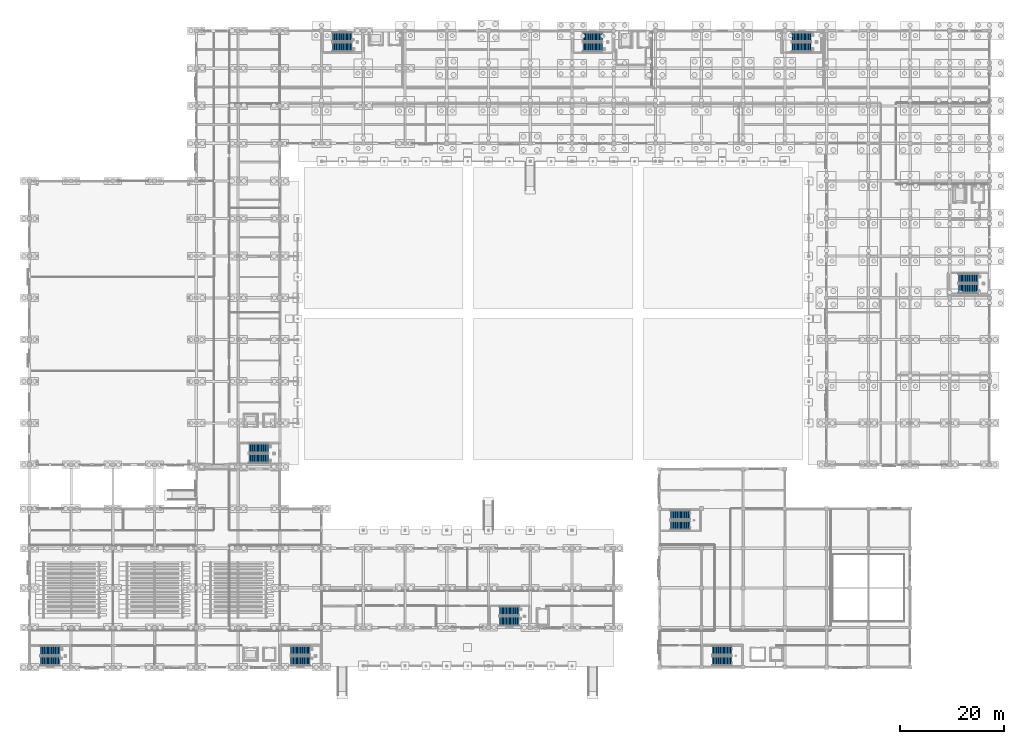
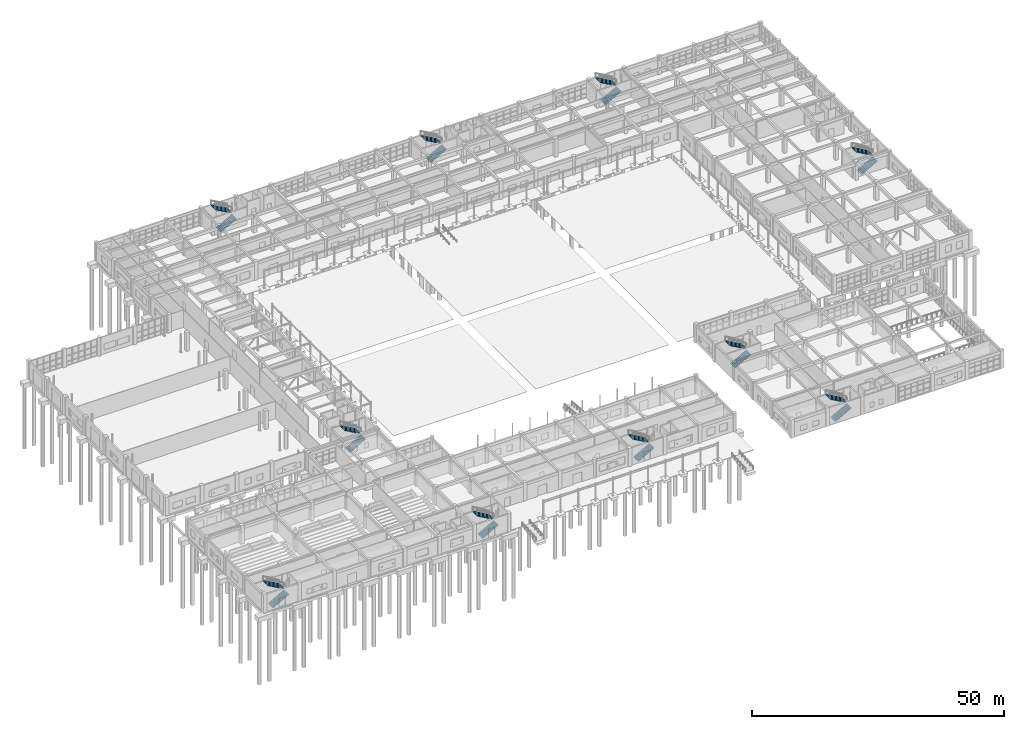
# One storey, part 142 of 166: 20 stair flights, 10 elements without a shape of their own.
"""IFC4 building model written with IfcOpenShell, lengths in metres."""

from ifc_helpers import new_model, si_unit, direction, frame, origin, place, context, subcontext, project, spatial, polyline, outline, extrude, material, type_object, element, aggregate, save


model = new_model("IFC4")

# Units and contexts
model_context = context("Model", 3, precision=1e-05, world=origin(), true_north=direction((0.0, 1.0)))
body_context = subcontext(model_context, "Body", "Model", "MODEL_VIEW")
ifc_project = project(units=[si_unit("LENGTHUNIT", "METRE"), si_unit("AREAUNIT", "SQUARE_METRE"), si_unit("VOLUMEUNIT", "CUBIC_METRE"), si_unit("PLANEANGLEUNIT", "RADIAN"), si_unit("MASSUNIT", "GRAM", prefix="KILO")], contexts=[model_context])

# Site, building, storey
site_placement = place(None, origin())
site = spatial("IfcSite", under=ifc_project, at=site_placement, CompositionType="ELEMENT")
building_placement = place(site_placement, origin())
building = spatial("IfcBuilding", under=site, at=building_placement, Name="Kharva Crest Polytechnic", CompositionType="ELEMENT")
storey_placement = place(building_placement, origin())
storey = spatial("IfcBuildingStorey", under=building, at=storey_placement, Name="L00", CompositionType="ELEMENT", Elevation=0.0)

# Stair, stair flights
ifc_material = material(Name="Concrete C35/45", Category="concrete")
stair_type_1 = type_object("IfcStairType", Name="STR-DOGLEG-1780", PredefinedType="TWO_STRAIGHT_RUN_STAIR", material=ifc_material)
stair_1_placement = place(storey_placement, origin())
stair_1 = element("IfcStair", 1, at=stair_1_placement, inside=storey, type_object=stair_type_1, Name="L00 South-West Lecture Core C1", PredefinedType="TWO_STRAIGHT_RUN_STAIR")
stair_flight_type_1 = type_object("IfcStairFlightType", Name="STF-RC-1780", PredefinedType="STRAIGHT", material=ifc_material)
stair_flight_1_placement = place(storey_placement, frame((50.090087890625, 1.18994140625, 0.0), z_axis=(0.0, 0.0, 1.0), x_axis=(1.0, 0.0, 0.0)))
stair_flight_1 = element("IfcStairFlight", 2, at=stair_flight_1_placement, type_object=stair_flight_type_1, Name="ST-01 flight 1", NumberOfRisers=15, NumberOfTreads=14, PredefinedType="STRAIGHT", RiserHeight=0.15, TreadLength=0.265, context=body_context, shape_type="SweptSolid", body=[
    extrude(outline(polyline([(0.0, 0.0), (0.0, 0.14990234375), (0.264892578125, 0.14990234375), (0.264892578125, 0.300048828125), (0.530029296875, 0.300048828125), (0.530029296875, 0.449951171875), (0.794921875, 0.449951171875), (0.794921875, 0.60009765625), (1.06005859375, 0.60009765625), (1.06005859375, 0.75), (1.324951171875, 0.75), (1.324951171875, 0.89990234375), (1.590087890625, 0.89990234375), (1.590087890625, 1.050048828125), (1.85498046875, 1.050048828125), (1.85498046875, 1.199951171875), (2.1201171875, 1.199951171875), (2.1201171875, 1.35009765625), (2.385009765625, 1.35009765625), (2.385009765625, 1.5), (2.64990234375, 1.5), (2.64990234375, 1.64990234375), (2.9150390625, 1.64990234375), (2.9150390625, 1.800048828125), (3.179931640625, 1.800048828125), (3.179931640625, 1.949951171875), (3.445068359375, 1.949951171875), (3.445068359375, 2.10009765625), (3.7099609375, 2.10009765625), (3.7099609375, 2.25), (3.7099609375, 1.916259765625), (0.32470703125, 0.0), (0.0, 0.0)])), frame((0.0, 0.89013671875, 0.0), z_axis=(0.0, -1.0, 0.0), x_axis=(1.0, 0.0, 0.0)), (0.0, 0.0, 1.0), 1.780029296875),
])
stair_flight_2_placement = place(storey_placement, frame((53.800048828125, 3.169921875, 2.25), z_axis=(0.0, 0.0, 1.0), x_axis=(-1.0, 0.0, 0.0)))
stair_flight_2 = element("IfcStairFlight", 3, at=stair_flight_2_placement, type_object=stair_flight_type_1, Name="ST-01 flight 2", NumberOfRisers=15, NumberOfTreads=14, PredefinedType="STRAIGHT", RiserHeight=0.15, TreadLength=0.265, context=body_context, shape_type="SweptSolid", body=[
    extrude(outline(polyline([(0.0, 0.0), (0.0, 0.14990234375), (0.264892578125, 0.14990234375), (0.264892578125, 0.300048828125), (0.530029296875, 0.300048828125), (0.530029296875, 0.449951171875), (0.794921875, 0.449951171875), (0.794921875, 0.60009765625), (1.06005859375, 0.60009765625), (1.06005859375, 0.75), (1.324951171875, 0.75), (1.324951171875, 0.89990234375), (1.590087890625, 0.89990234375), (1.590087890625, 1.050048828125), (1.85498046875, 1.050048828125), (1.85498046875, 1.199951171875), (2.1201171875, 1.199951171875), (2.1201171875, 1.35009765625), (2.385009765625, 1.35009765625), (2.385009765625, 1.5), (2.64990234375, 1.5), (2.64990234375, 1.64990234375), (2.9150390625, 1.64990234375), (2.9150390625, 1.800048828125), (3.179931640625, 1.800048828125), (3.179931640625, 1.949951171875), (3.445068359375, 1.949951171875), (3.445068359375, 2.10009765625), (3.7099609375, 2.10009765625), (3.7099609375, 2.25), (3.7099609375, 1.916259765625), (0.32470703125, 0.0), (0.0, 0.0)])), frame((0.0, 0.89013671875, 0.0), z_axis=(0.0, -1.0, 0.0), x_axis=(1.0, 0.0, 0.0)), (0.0, 0.0, 1.0), 1.780029296875),
])
aggregate(stair_1, [stair_flight_1, stair_flight_2])

stair_2_placement = place(storey_placement, origin())
stair_2 = element("IfcStair", 4, at=stair_2_placement, inside=storey, type_object=stair_type_1, Name="L00 West Workshop Core C2", PredefinedType="TWO_STRAIGHT_RUN_STAIR")
stair_flight_3_placement = place(storey_placement, frame((42.090087890625, 39.989990234375, 0.0), z_axis=(0.0, 0.0, 1.0), x_axis=(1.0, 0.0, 0.0)))
stair_flight_3 = element("IfcStairFlight", 5, at=stair_flight_3_placement, type_object=stair_flight_type_1, Name="ST-02 flight 1", NumberOfRisers=15, NumberOfTreads=14, PredefinedType="STRAIGHT", RiserHeight=0.15, TreadLength=0.265, context=body_context, shape_type="SweptSolid", body=[
    extrude(outline(polyline([(0.0, 0.0), (0.0, 0.14990234375), (0.264892578125, 0.14990234375), (0.264892578125, 0.300048828125), (0.530029296875, 0.300048828125), (0.530029296875, 0.449951171875), (0.794921875, 0.449951171875), (0.794921875, 0.60009765625), (1.06005859375, 0.60009765625), (1.06005859375, 0.75), (1.324951171875, 0.75), (1.324951171875, 0.89990234375), (1.590087890625, 0.89990234375), (1.590087890625, 1.050048828125), (1.85498046875, 1.050048828125), (1.85498046875, 1.199951171875), (2.1201171875, 1.199951171875), (2.1201171875, 1.35009765625), (2.385009765625, 1.35009765625), (2.385009765625, 1.5), (2.64990234375, 1.5), (2.64990234375, 1.64990234375), (2.9150390625, 1.64990234375), (2.9150390625, 1.800048828125), (3.179931640625, 1.800048828125), (3.179931640625, 1.949951171875), (3.445068359375, 1.949951171875), (3.445068359375, 2.10009765625), (3.7099609375, 2.10009765625), (3.7099609375, 2.25), (3.7099609375, 1.916259765625), (0.32470703125, 0.0), (0.0, 0.0)])), frame((0.0, 0.89013671875, 0.0), z_axis=(0.0, -1.0, 0.0), x_axis=(1.0, 0.0, 0.0)), (0.0, 0.0, 1.0), 1.780029296875),
])
stair_flight_4_placement = place(storey_placement, frame((45.800048828125, 41.969970703125, 2.25), z_axis=(0.0, 0.0, 1.0), x_axis=(-1.0, 0.0, 0.0)))
stair_flight_4 = element("IfcStairFlight", 6, at=stair_flight_4_placement, type_object=stair_flight_type_1, Name="ST-02 flight 2", NumberOfRisers=15, NumberOfTreads=14, PredefinedType="STRAIGHT", RiserHeight=0.15, TreadLength=0.265, context=body_context, shape_type="SweptSolid", body=[
    extrude(outline(polyline([(0.0, 0.0), (0.0, 0.14990234375), (0.264892578125, 0.14990234375), (0.264892578125, 0.300048828125), (0.530029296875, 0.300048828125), (0.530029296875, 0.449951171875), (0.794921875, 0.449951171875), (0.794921875, 0.60009765625), (1.06005859375, 0.60009765625), (1.06005859375, 0.75), (1.324951171875, 0.75), (1.324951171875, 0.89990234375), (1.590087890625, 0.89990234375), (1.590087890625, 1.050048828125), (1.85498046875, 1.050048828125), (1.85498046875, 1.199951171875), (2.1201171875, 1.199951171875), (2.1201171875, 1.35009765625), (2.385009765625, 1.35009765625), (2.385009765625, 1.5), (2.64990234375, 1.5), (2.64990234375, 1.64990234375), (2.9150390625, 1.64990234375), (2.9150390625, 1.800048828125), (3.179931640625, 1.800048828125), (3.179931640625, 1.949951171875), (3.445068359375, 1.949951171875), (3.445068359375, 2.10009765625), (3.7099609375, 2.10009765625), (3.7099609375, 2.25), (3.7099609375, 1.916259765625), (0.32470703125, 0.0), (0.0, 0.0)])), frame((0.0, 0.89013671875, 0.0), z_axis=(0.0, -1.0, 0.0), x_axis=(1.0, 0.0, 0.0)), (0.0, 0.0, 1.0), 1.780029296875),
])
aggregate(stair_2, [stair_flight_3, stair_flight_4])

stair_3_placement = place(storey_placement, origin())
stair_3 = element("IfcStair", 7, at=stair_3_placement, inside=storey, type_object=stair_type_1, Name="L00 North-West Lab Core C3", PredefinedType="TWO_STRAIGHT_RUN_STAIR")
stair_flight_5_placement = place(storey_placement, frame((58.090087890625, 118.830078125, 0.0), z_axis=(0.0, 0.0, 1.0), x_axis=(1.0, 0.0, 0.0)))
stair_flight_5 = element("IfcStairFlight", 8, at=stair_flight_5_placement, type_object=stair_flight_type_1, Name="ST-03 flight 1", NumberOfRisers=15, NumberOfTreads=14, PredefinedType="STRAIGHT", RiserHeight=0.15, TreadLength=0.265, context=body_context, shape_type="SweptSolid", body=[
    extrude(outline(polyline([(0.0, 0.0), (0.0, 0.14990234375), (0.264892578125, 0.14990234375), (0.264892578125, 0.300048828125), (0.530029296875, 0.300048828125), (0.530029296875, 0.449951171875), (0.794921875, 0.449951171875), (0.794921875, 0.60009765625), (1.06005859375, 0.60009765625), (1.06005859375, 0.75), (1.324951171875, 0.75), (1.324951171875, 0.89990234375), (1.590087890625, 0.89990234375), (1.590087890625, 1.050048828125), (1.85498046875, 1.050048828125), (1.85498046875, 1.199951171875), (2.1201171875, 1.199951171875), (2.1201171875, 1.35009765625), (2.385009765625, 1.35009765625), (2.385009765625, 1.5), (2.64990234375, 1.5), (2.64990234375, 1.64990234375), (2.9150390625, 1.64990234375), (2.9150390625, 1.800048828125), (3.179931640625, 1.800048828125), (3.179931640625, 1.949951171875), (3.445068359375, 1.949951171875), (3.445068359375, 2.10009765625), (3.7099609375, 2.10009765625), (3.7099609375, 2.25), (3.7099609375, 1.916259765625), (0.32470703125, 0.0), (0.0, 0.0)])), frame((0.0, 0.89013671875, 0.0), z_axis=(0.0, -1.0, 0.0), x_axis=(1.0, 0.0, 0.0)), (0.0, 0.0, 1.0), 1.780029296875),
])
stair_flight_6_placement = place(storey_placement, frame((61.800048828125, 120.81005859375, 2.25), z_axis=(0.0, 0.0, 1.0), x_axis=(-1.0, 0.0, 0.0)))
stair_flight_6 = element("IfcStairFlight", 9, at=stair_flight_6_placement, type_object=stair_flight_type_1, Name="ST-03 flight 2", NumberOfRisers=15, NumberOfTreads=14, PredefinedType="STRAIGHT", RiserHeight=0.15, TreadLength=0.265, context=body_context, shape_type="SweptSolid", body=[
    extrude(outline(polyline([(0.0, 0.0), (0.0, 0.14990234375), (0.264892578125, 0.14990234375), (0.264892578125, 0.300048828125), (0.530029296875, 0.300048828125), (0.530029296875, 0.449951171875), (0.794921875, 0.449951171875), (0.794921875, 0.60009765625), (1.06005859375, 0.60009765625), (1.06005859375, 0.75), (1.324951171875, 0.75), (1.324951171875, 0.89990234375), (1.590087890625, 0.89990234375), (1.590087890625, 1.050048828125), (1.85498046875, 1.050048828125), (1.85498046875, 1.199951171875), (2.1201171875, 1.199951171875), (2.1201171875, 1.35009765625), (2.385009765625, 1.35009765625), (2.385009765625, 1.5), (2.64990234375, 1.5), (2.64990234375, 1.64990234375), (2.9150390625, 1.64990234375), (2.9150390625, 1.800048828125), (3.179931640625, 1.800048828125), (3.179931640625, 1.949951171875), (3.445068359375, 1.949951171875), (3.445068359375, 2.10009765625), (3.7099609375, 2.10009765625), (3.7099609375, 2.25), (3.7099609375, 1.916259765625), (0.32470703125, 0.0), (0.0, 0.0)])), frame((0.0, 0.89013671875, 0.0), z_axis=(0.0, -1.0, 0.0), x_axis=(1.0, 0.0, 0.0)), (0.0, 0.0, 1.0), 1.780029296875),
])
aggregate(stair_3, [stair_flight_5, stair_flight_6])

stair_4_placement = place(storey_placement, origin())
stair_4 = element("IfcStair", 10, at=stair_4_placement, inside=storey, type_object=stair_type_1, Name="L00 North Crest Firefighting Core C4", PredefinedType="TWO_STRAIGHT_RUN_STAIR")
stair_flight_7_placement = place(storey_placement, frame((106.090087890625, 118.830078125, 0.0), z_axis=(0.0, 0.0, 1.0), x_axis=(1.0, 0.0, 0.0)))
stair_flight_7 = element("IfcStairFlight", 11, at=stair_flight_7_placement, type_object=stair_flight_type_1, Name="ST-04 flight 1", NumberOfRisers=15, NumberOfTreads=14, PredefinedType="STRAIGHT", RiserHeight=0.15, TreadLength=0.265, context=body_context, shape_type="SweptSolid", body=[
    extrude(outline(polyline([(0.0, 0.0), (0.0, 0.14990234375), (0.264892578125, 0.14990234375), (0.264892578125, 0.300048828125), (0.530029296875, 0.300048828125), (0.530029296875, 0.449951171875), (0.794921875, 0.449951171875), (0.794921875, 0.60009765625), (1.06005859375, 0.60009765625), (1.06005859375, 0.75), (1.324951171875, 0.75), (1.324951171875, 0.89990234375), (1.590087890625, 0.89990234375), (1.590087890625, 1.050048828125), (1.85498046875, 1.050048828125), (1.85498046875, 1.199951171875), (2.1201171875, 1.199951171875), (2.1201171875, 1.35009765625), (2.385009765625, 1.35009765625), (2.385009765625, 1.5), (2.64990234375, 1.5), (2.64990234375, 1.64990234375), (2.9150390625, 1.64990234375), (2.9150390625, 1.800048828125), (3.179931640625, 1.800048828125), (3.179931640625, 1.949951171875), (3.445068359375, 1.949951171875), (3.445068359375, 2.10009765625), (3.7099609375, 2.10009765625), (3.7099609375, 2.25), (3.7099609375, 1.916259765625), (0.32470703125, 0.0), (0.0, 0.0)])), frame((0.0, 0.89013671875, 0.0), z_axis=(0.0, -1.0, 0.0), x_axis=(1.0, 0.0, 0.0)), (0.0, 0.0, 1.0), 1.780029296875),
])
stair_flight_8_placement = place(storey_placement, frame((109.800048828125, 120.81005859375, 2.25), z_axis=(0.0, 0.0, 1.0), x_axis=(-1.0, 0.0, 0.0)))
stair_flight_8 = element("IfcStairFlight", 12, at=stair_flight_8_placement, type_object=stair_flight_type_1, Name="ST-04 flight 2", NumberOfRisers=15, NumberOfTreads=14, PredefinedType="STRAIGHT", RiserHeight=0.15, TreadLength=0.265, context=body_context, shape_type="SweptSolid", body=[
    extrude(outline(polyline([(0.0, 0.0), (0.0, 0.14990234375), (0.264892578125, 0.14990234375), (0.264892578125, 0.300048828125), (0.530029296875, 0.300048828125), (0.530029296875, 0.449951171875), (0.794921875, 0.449951171875), (0.794921875, 0.60009765625), (1.06005859375, 0.60009765625), (1.06005859375, 0.75), (1.324951171875, 0.75), (1.324951171875, 0.89990234375), (1.590087890625, 0.89990234375), (1.590087890625, 1.050048828125), (1.85498046875, 1.050048828125), (1.85498046875, 1.199951171875), (2.1201171875, 1.199951171875), (2.1201171875, 1.35009765625), (2.385009765625, 1.35009765625), (2.385009765625, 1.5), (2.64990234375, 1.5), (2.64990234375, 1.64990234375), (2.9150390625, 1.64990234375), (2.9150390625, 1.800048828125), (3.179931640625, 1.800048828125), (3.179931640625, 1.949951171875), (3.445068359375, 1.949951171875), (3.445068359375, 2.10009765625), (3.7099609375, 2.10009765625), (3.7099609375, 2.25), (3.7099609375, 1.916259765625), (0.32470703125, 0.0), (0.0, 0.0)])), frame((0.0, 0.89013671875, 0.0), z_axis=(0.0, -1.0, 0.0), x_axis=(1.0, 0.0, 0.0)), (0.0, 0.0, 1.0), 1.780029296875),
])
aggregate(stair_4, [stair_flight_7, stair_flight_8])

stair_5_placement = place(storey_placement, origin())
stair_5 = element("IfcStair", 13, at=stair_5_placement, inside=storey, type_object=stair_type_1, Name="L00 East Crest Firefighting Core C5", PredefinedType="TWO_STRAIGHT_RUN_STAIR")
stair_flight_9_placement = place(storey_placement, frame((178.090087890625, 72.56005859375, 0.0), z_axis=(0.0, 0.0, 1.0), x_axis=(1.0, 0.0, 0.0)))
stair_flight_9 = element("IfcStairFlight", 14, at=stair_flight_9_placement, type_object=stair_flight_type_1, Name="ST-05 flight 1", NumberOfRisers=15, NumberOfTreads=14, PredefinedType="STRAIGHT", RiserHeight=0.15, TreadLength=0.265, context=body_context, shape_type="SweptSolid", body=[
    extrude(outline(polyline([(0.0, 0.0), (0.0, 0.14990234375), (0.264892578125, 0.14990234375), (0.264892578125, 0.300048828125), (0.530029296875, 0.300048828125), (0.530029296875, 0.449951171875), (0.794921875, 0.449951171875), (0.794921875, 0.60009765625), (1.06005859375, 0.60009765625), (1.06005859375, 0.75), (1.324951171875, 0.75), (1.324951171875, 0.89990234375), (1.590087890625, 0.89990234375), (1.590087890625, 1.050048828125), (1.85498046875, 1.050048828125), (1.85498046875, 1.199951171875), (2.1201171875, 1.199951171875), (2.1201171875, 1.35009765625), (2.385009765625, 1.35009765625), (2.385009765625, 1.5), (2.64990234375, 1.5), (2.64990234375, 1.64990234375), (2.9150390625, 1.64990234375), (2.9150390625, 1.800048828125), (3.179931640625, 1.800048828125), (3.179931640625, 1.949951171875), (3.445068359375, 1.949951171875), (3.445068359375, 2.10009765625), (3.7099609375, 2.10009765625), (3.7099609375, 2.25), (3.7099609375, 1.916259765625), (0.32470703125, 0.0), (0.0, 0.0)])), frame((0.0, 0.89013671875, 0.0), z_axis=(0.0, -1.0, 0.0), x_axis=(1.0, 0.0, 0.0)), (0.0, 0.0, 1.0), 1.780029296875),
])
stair_flight_10_placement = place(storey_placement, frame((181.800048828125, 74.5400390625, 2.25), z_axis=(0.0, 0.0, 1.0), x_axis=(-1.0, 0.0, 0.0)))
stair_flight_10 = element("IfcStairFlight", 15, at=stair_flight_10_placement, type_object=stair_flight_type_1, Name="ST-05 flight 2", NumberOfRisers=15, NumberOfTreads=14, PredefinedType="STRAIGHT", RiserHeight=0.15, TreadLength=0.265, context=body_context, shape_type="SweptSolid", body=[
    extrude(outline(polyline([(0.0, 0.0), (0.0, 0.14990234375), (0.264892578125, 0.14990234375), (0.264892578125, 0.300048828125), (0.530029296875, 0.300048828125), (0.530029296875, 0.449951171875), (0.794921875, 0.449951171875), (0.794921875, 0.60009765625), (1.06005859375, 0.60009765625), (1.06005859375, 0.75), (1.324951171875, 0.75), (1.324951171875, 0.89990234375), (1.590087890625, 0.89990234375), (1.590087890625, 1.050048828125), (1.85498046875, 1.050048828125), (1.85498046875, 1.199951171875), (2.1201171875, 1.199951171875), (2.1201171875, 1.35009765625), (2.385009765625, 1.35009765625), (2.385009765625, 1.5), (2.64990234375, 1.5), (2.64990234375, 1.64990234375), (2.9150390625, 1.64990234375), (2.9150390625, 1.800048828125), (3.179931640625, 1.800048828125), (3.179931640625, 1.949951171875), (3.445068359375, 1.949951171875), (3.445068359375, 2.10009765625), (3.7099609375, 2.10009765625), (3.7099609375, 2.25), (3.7099609375, 1.916259765625), (0.32470703125, 0.0), (0.0, 0.0)])), frame((0.0, 0.89013671875, 0.0), z_axis=(0.0, -1.0, 0.0), x_axis=(1.0, 0.0, 0.0)), (0.0, 0.0, 1.0), 1.780029296875),
])
aggregate(stair_5, [stair_flight_9, stair_flight_10])

stair_6_placement = place(storey_placement, origin())
stair_6 = element("IfcStair", 16, at=stair_6_placement, inside=storey, type_object=stair_type_1, Name="L00 South-East Refectory Escarpment Core C6", PredefinedType="TWO_STRAIGHT_RUN_STAIR")
stair_flight_11_placement = place(storey_placement, frame((130.889892578125, 1.18994140625, 0.0), z_axis=(0.0, 0.0, 1.0), x_axis=(1.0, 0.0, 0.0)))
stair_flight_11 = element("IfcStairFlight", 17, at=stair_flight_11_placement, type_object=stair_flight_type_1, Name="ST-06 flight 1", NumberOfRisers=15, NumberOfTreads=14, PredefinedType="STRAIGHT", RiserHeight=0.15, TreadLength=0.265, context=body_context, shape_type="SweptSolid", body=[
    extrude(outline(polyline([(0.0, 0.0), (0.0, 0.14990234375), (0.264892578125, 0.14990234375), (0.264892578125, 0.300048828125), (0.530029296875, 0.300048828125), (0.530029296875, 0.449951171875), (0.794921875, 0.449951171875), (0.794921875, 0.60009765625), (1.06005859375, 0.60009765625), (1.06005859375, 0.75), (1.324951171875, 0.75), (1.324951171875, 0.89990234375), (1.590087890625, 0.89990234375), (1.590087890625, 1.050048828125), (1.85498046875, 1.050048828125), (1.85498046875, 1.199951171875), (2.1201171875, 1.199951171875), (2.1201171875, 1.35009765625), (2.385009765625, 1.35009765625), (2.385009765625, 1.5), (2.64990234375, 1.5), (2.64990234375, 1.64990234375), (2.9150390625, 1.64990234375), (2.9150390625, 1.800048828125), (3.179931640625, 1.800048828125), (3.179931640625, 1.949951171875), (3.445068359375, 1.949951171875), (3.445068359375, 2.10009765625), (3.7099609375, 2.10009765625), (3.7099609375, 2.25), (3.7099609375, 1.916259765625), (0.32470703125, 0.0), (0.0, 0.0)])), frame((0.0, 0.89013671875, 0.0), z_axis=(0.0, -1.0, 0.0), x_axis=(1.0, 0.0, 0.0)), (0.0, 0.0, 1.0), 1.780029296875),
])
stair_flight_12_placement = place(storey_placement, frame((134.60009765625, 3.169921875, 2.25), z_axis=(0.0, 0.0, 1.0), x_axis=(-1.0, 0.0, 0.0)))
stair_flight_12 = element("IfcStairFlight", 18, at=stair_flight_12_placement, type_object=stair_flight_type_1, Name="ST-06 flight 2", NumberOfRisers=15, NumberOfTreads=14, PredefinedType="STRAIGHT", RiserHeight=0.15, TreadLength=0.265, context=body_context, shape_type="SweptSolid", body=[
    extrude(outline(polyline([(0.0, 0.0), (0.0, 0.14990234375), (0.264892578125, 0.14990234375), (0.264892578125, 0.300048828125), (0.530029296875, 0.300048828125), (0.530029296875, 0.449951171875), (0.794921875, 0.449951171875), (0.794921875, 0.60009765625), (1.06005859375, 0.60009765625), (1.06005859375, 0.75), (1.324951171875, 0.75), (1.324951171875, 0.89990234375), (1.590087890625, 0.89990234375), (1.590087890625, 1.050048828125), (1.85498046875, 1.050048828125), (1.85498046875, 1.199951171875), (2.1201171875, 1.199951171875), (2.1201171875, 1.35009765625), (2.385009765625, 1.35009765625), (2.385009765625, 1.5), (2.64990234375, 1.5), (2.64990234375, 1.64990234375), (2.9150390625, 1.64990234375), (2.9150390625, 1.800048828125), (3.179931640625, 1.800048828125), (3.179931640625, 1.949951171875), (3.445068359375, 1.949951171875), (3.445068359375, 2.10009765625), (3.7099609375, 2.10009765625), (3.7099609375, 2.25), (3.7099609375, 1.916259765625), (0.32470703125, 0.0), (0.0, 0.0)])), frame((0.0, 0.89013671875, 0.0), z_axis=(0.0, -1.0, 0.0), x_axis=(1.0, 0.0, 0.0)), (0.0, 0.0, 1.0), 1.780029296875),
])
aggregate(stair_6, [stair_flight_11, stair_flight_12])

stair_type_2 = type_object("IfcStairType", Name="STR-DOGLEG-1790", PredefinedType="TWO_STRAIGHT_RUN_STAIR", material=ifc_material)
stair_7_placement = place(storey_placement, origin())
stair_7 = element("IfcStair", 19, at=stair_7_placement, inside=storey, type_object=stair_type_2, Name="L00 South-East Escarpment Secondary Stair C7", PredefinedType="TWO_STRAIGHT_RUN_STAIR")
stair_flight_type_2 = type_object("IfcStairFlightType", Name="STF-RC-1790", PredefinedType="STRAIGHT", material=ifc_material)
stair_flight_13_placement = place(storey_placement, frame((122.89990234375, 27.18505859375, 0.0), z_axis=(0.0, 0.0, 1.0), x_axis=(1.0, 0.0, 0.0)))
stair_flight_13 = element("IfcStairFlight", 20, at=stair_flight_13_placement, type_object=stair_flight_type_2, Name="ST-07 flight 1", NumberOfRisers=15, NumberOfTreads=14, PredefinedType="STRAIGHT", RiserHeight=0.15, TreadLength=0.265, context=body_context, shape_type="SweptSolid", body=[
    extrude(outline(polyline([(0.0, 0.0), (0.0, 0.14990234375), (0.264892578125, 0.14990234375), (0.264892578125, 0.300048828125), (0.530029296875, 0.300048828125), (0.530029296875, 0.449951171875), (0.794921875, 0.449951171875), (0.794921875, 0.60009765625), (1.06005859375, 0.60009765625), (1.06005859375, 0.75), (1.324951171875, 0.75), (1.324951171875, 0.89990234375), (1.590087890625, 0.89990234375), (1.590087890625, 1.050048828125), (1.85498046875, 1.050048828125), (1.85498046875, 1.199951171875), (2.1201171875, 1.199951171875), (2.1201171875, 1.35009765625), (2.385009765625, 1.35009765625), (2.385009765625, 1.5), (2.64990234375, 1.5), (2.64990234375, 1.64990234375), (2.9150390625, 1.64990234375), (2.9150390625, 1.800048828125), (3.179931640625, 1.800048828125), (3.179931640625, 1.949951171875), (3.445068359375, 1.949951171875), (3.445068359375, 2.10009765625), (3.7099609375, 2.10009765625), (3.7099609375, 2.25), (3.7099609375, 1.916259765625), (0.32470703125, 0.0), (0.0, 0.0)])), frame((0.0, 0.89501953125, 0.0), z_axis=(0.0, -1.0, 0.0), x_axis=(1.0, 0.0, 0.0)), (0.0, 0.0, 1.0), 1.7900390625),
])
stair_flight_14_placement = place(storey_placement, frame((126.610107421875, 29.155029296875, 2.25), z_axis=(0.0, 0.0, 1.0), x_axis=(-1.0, 0.0, 0.0)))
stair_flight_14 = element("IfcStairFlight", 21, at=stair_flight_14_placement, type_object=stair_flight_type_2, Name="ST-07 flight 2", NumberOfRisers=15, NumberOfTreads=14, PredefinedType="STRAIGHT", RiserHeight=0.15, TreadLength=0.265, context=body_context, shape_type="SweptSolid", body=[
    extrude(outline(polyline([(0.0, 0.0), (0.0, 0.14990234375), (0.264892578125, 0.14990234375), (0.264892578125, 0.300048828125), (0.530029296875, 0.300048828125), (0.530029296875, 0.449951171875), (0.794921875, 0.449951171875), (0.794921875, 0.60009765625), (1.06005859375, 0.60009765625), (1.06005859375, 0.75), (1.324951171875, 0.75), (1.324951171875, 0.89990234375), (1.590087890625, 0.89990234375), (1.590087890625, 1.050048828125), (1.85498046875, 1.050048828125), (1.85498046875, 1.199951171875), (2.1201171875, 1.199951171875), (2.1201171875, 1.35009765625), (2.385009765625, 1.35009765625), (2.385009765625, 1.5), (2.64990234375, 1.5), (2.64990234375, 1.64990234375), (2.9150390625, 1.64990234375), (2.9150390625, 1.800048828125), (3.179931640625, 1.800048828125), (3.179931640625, 1.949951171875), (3.445068359375, 1.949951171875), (3.445068359375, 2.10009765625), (3.7099609375, 2.10009765625), (3.7099609375, 2.25), (3.7099609375, 1.916259765625), (0.32470703125, 0.0), (0.0, 0.0)])), frame((0.0, 0.89501953125, 0.0), z_axis=(0.0, -1.0, 0.0), x_axis=(1.0, 0.0, 0.0)), (0.0, 0.0, 1.0), 1.7900390625),
])
aggregate(stair_7, [stair_flight_13, stair_flight_14])

stair_type_3 = type_object("IfcStairType", Name="STR-DOGLEG-1800", PredefinedType="TWO_STRAIGHT_RUN_STAIR", material=ifc_material)
stair_8_placement = place(storey_placement, origin())
stair_8 = element("IfcStair", 22, at=stair_8_placement, inside=storey, type_object=stair_type_3, Name="L00 West Lecture Wing Stair C10", PredefinedType="TWO_STRAIGHT_RUN_STAIR")
stair_flight_type_3 = type_object("IfcStairFlightType", Name="STF-RC-1800", PredefinedType="STRAIGHT", material=ifc_material)
stair_flight_15_placement = place(storey_placement, frame((2.110107421875, 1.199951171875, 0.0), z_axis=(0.0, 0.0, 1.0), x_axis=(1.0, 0.0, 0.0)))
stair_flight_15 = element("IfcStairFlight", 23, at=stair_flight_15_placement, type_object=stair_flight_type_3, Name="ST-10 flight 1", NumberOfRisers=15, NumberOfTreads=14, PredefinedType="STRAIGHT", RiserHeight=0.15, TreadLength=0.265, context=body_context, shape_type="SweptSolid", body=[
    extrude(outline(polyline([(0.0, 0.0), (0.0, 0.14990234375), (0.264892578125, 0.14990234375), (0.264892578125, 0.300048828125), (0.530029296875, 0.300048828125), (0.530029296875, 0.449951171875), (0.794921875, 0.449951171875), (0.794921875, 0.60009765625), (1.06005859375, 0.60009765625), (1.06005859375, 0.75), (1.324951171875, 0.75), (1.324951171875, 0.89990234375), (1.590087890625, 0.89990234375), (1.590087890625, 1.050048828125), (1.85498046875, 1.050048828125), (1.85498046875, 1.199951171875), (2.1201171875, 1.199951171875), (2.1201171875, 1.35009765625), (2.385009765625, 1.35009765625), (2.385009765625, 1.5), (2.64990234375, 1.5), (2.64990234375, 1.64990234375), (2.9150390625, 1.64990234375), (2.9150390625, 1.800048828125), (3.179931640625, 1.800048828125), (3.179931640625, 1.949951171875), (3.445068359375, 1.949951171875), (3.445068359375, 2.10009765625), (3.7099609375, 2.10009765625), (3.7099609375, 2.25), (3.7099609375, 1.916259765625), (0.32470703125, 0.0), (0.0, 0.0)])), frame((0.0, 0.89990234375, 0.0), z_axis=(0.0, -1.0, 0.0), x_axis=(1.0, 0.0, 0.0)), (0.0, 0.0, 1.0), 1.800048828125),
])
stair_flight_16_placement = place(storey_placement, frame((5.820068359375, 3.159912109375, 2.25), z_axis=(0.0, 0.0, 1.0), x_axis=(-1.0, 0.0, 0.0)))
stair_flight_16 = element("IfcStairFlight", 24, at=stair_flight_16_placement, type_object=stair_flight_type_3, Name="ST-10 flight 2", NumberOfRisers=15, NumberOfTreads=14, PredefinedType="STRAIGHT", RiserHeight=0.15, TreadLength=0.265, context=body_context, shape_type="SweptSolid", body=[
    extrude(outline(polyline([(0.0, 0.0), (0.0, 0.14990234375), (0.264892578125, 0.14990234375), (0.264892578125, 0.300048828125), (0.530029296875, 0.300048828125), (0.530029296875, 0.449951171875), (0.794921875, 0.449951171875), (0.794921875, 0.60009765625), (1.06005859375, 0.60009765625), (1.06005859375, 0.75), (1.324951171875, 0.75), (1.324951171875, 0.89990234375), (1.590087890625, 0.89990234375), (1.590087890625, 1.050048828125), (1.85498046875, 1.050048828125), (1.85498046875, 1.199951171875), (2.1201171875, 1.199951171875), (2.1201171875, 1.35009765625), (2.385009765625, 1.35009765625), (2.385009765625, 1.5), (2.64990234375, 1.5), (2.64990234375, 1.64990234375), (2.9150390625, 1.64990234375), (2.9150390625, 1.800048828125), (3.179931640625, 1.800048828125), (3.179931640625, 1.949951171875), (3.445068359375, 1.949951171875), (3.445068359375, 2.10009765625), (3.7099609375, 2.10009765625), (3.7099609375, 2.25), (3.7099609375, 1.916259765625), (0.32470703125, 0.0), (0.0, 0.0)])), frame((0.0, 0.89990234375, 0.0), z_axis=(0.0, -1.0, 0.0), x_axis=(1.0, 0.0, 0.0)), (0.0, 0.0, 1.0), 1.800048828125),
])
aggregate(stair_8, [stair_flight_15, stair_flight_16])

stair_type_4 = type_object("IfcStairType", Name="STR-DOGLEG-1810", PredefinedType="TWO_STRAIGHT_RUN_STAIR", material=ifc_material)
stair_9_placement = place(storey_placement, origin())
stair_9 = element("IfcStair", 25, at=stair_9_placement, inside=storey, type_object=stair_type_4, Name="L00 South Entrance Wing Stair C8", PredefinedType="TWO_STRAIGHT_RUN_STAIR")
stair_flight_type_4 = type_object("IfcStairFlightType", Name="STF-RC-1810", PredefinedType="STRAIGHT", material=ifc_material)
stair_flight_17_placement = place(storey_placement, frame((90.1201171875, 8.804931640625, 0.0), z_axis=(0.0, 0.0, 1.0), x_axis=(1.0, 0.0, 0.0)))
stair_flight_17 = element("IfcStairFlight", 26, at=stair_flight_17_placement, type_object=stair_flight_type_4, Name="ST-08 flight 1", NumberOfRisers=15, NumberOfTreads=14, PredefinedType="STRAIGHT", RiserHeight=0.15, TreadLength=0.265, context=body_context, shape_type="SweptSolid", body=[
    extrude(outline(polyline([(0.0, 0.0), (0.0, 0.14990234375), (0.264892578125, 0.14990234375), (0.264892578125, 0.300048828125), (0.530029296875, 0.300048828125), (0.530029296875, 0.449951171875), (0.794921875, 0.449951171875), (0.794921875, 0.60009765625), (1.06005859375, 0.60009765625), (1.06005859375, 0.75), (1.324951171875, 0.75), (1.324951171875, 0.89990234375), (1.590087890625, 0.89990234375), (1.590087890625, 1.050048828125), (1.85498046875, 1.050048828125), (1.85498046875, 1.199951171875), (2.1201171875, 1.199951171875), (2.1201171875, 1.35009765625), (2.385009765625, 1.35009765625), (2.385009765625, 1.5), (2.64990234375, 1.5), (2.64990234375, 1.64990234375), (2.9150390625, 1.64990234375), (2.9150390625, 1.800048828125), (3.179931640625, 1.800048828125), (3.179931640625, 1.949951171875), (3.445068359375, 1.949951171875), (3.445068359375, 2.10009765625), (3.7099609375, 2.10009765625), (3.7099609375, 2.25), (3.7099609375, 1.916259765625), (0.32470703125, 0.0), (0.0, 0.0)])), frame((0.0, 0.905029296875, 0.0), z_axis=(0.0, -1.0, 0.0), x_axis=(1.0, 0.0, 0.0)), (0.0, 0.0, 1.0), 1.81005859375),
])
stair_flight_18_placement = place(storey_placement, frame((93.830078125, 10.7548828125, 2.25), z_axis=(0.0, 0.0, 1.0), x_axis=(-1.0, 0.0, 0.0)))
stair_flight_18 = element("IfcStairFlight", 27, at=stair_flight_18_placement, type_object=stair_flight_type_4, Name="ST-08 flight 2", NumberOfRisers=15, NumberOfTreads=14, PredefinedType="STRAIGHT", RiserHeight=0.15, TreadLength=0.265, context=body_context, shape_type="SweptSolid", body=[
    extrude(outline(polyline([(0.0, 0.0), (0.0, 0.14990234375), (0.264892578125, 0.14990234375), (0.264892578125, 0.300048828125), (0.530029296875, 0.300048828125), (0.530029296875, 0.449951171875), (0.794921875, 0.449951171875), (0.794921875, 0.60009765625), (1.06005859375, 0.60009765625), (1.06005859375, 0.75), (1.324951171875, 0.75), (1.324951171875, 0.89990234375), (1.590087890625, 0.89990234375), (1.590087890625, 1.050048828125), (1.85498046875, 1.050048828125), (1.85498046875, 1.199951171875), (2.1201171875, 1.199951171875), (2.1201171875, 1.35009765625), (2.385009765625, 1.35009765625), (2.385009765625, 1.5), (2.64990234375, 1.5), (2.64990234375, 1.64990234375), (2.9150390625, 1.64990234375), (2.9150390625, 1.800048828125), (3.179931640625, 1.800048828125), (3.179931640625, 1.949951171875), (3.445068359375, 1.949951171875), (3.445068359375, 2.10009765625), (3.7099609375, 2.10009765625), (3.7099609375, 2.25), (3.7099609375, 1.916259765625), (0.32470703125, 0.0), (0.0, 0.0)])), frame((0.0, 0.905029296875, 0.0), z_axis=(0.0, -1.0, 0.0), x_axis=(1.0, 0.0, 0.0)), (0.0, 0.0, 1.0), 1.81005859375),
])
aggregate(stair_9, [stair_flight_17, stair_flight_18])

stair_type_5 = type_object("IfcStairType", Name="STR-DOGLEG-1820", PredefinedType="TWO_STRAIGHT_RUN_STAIR", material=ifc_material)
stair_10_placement = place(storey_placement, origin())
stair_10 = element("IfcStair", 28, at=stair_10_placement, inside=storey, type_object=stair_type_5, Name="L00 North-East Library Wing Stair C9", PredefinedType="TWO_STRAIGHT_RUN_STAIR")
stair_flight_type_5 = type_object("IfcStairFlightType", Name="STF-RC-1820", PredefinedType="STRAIGHT", material=ifc_material)
stair_flight_19_placement = place(storey_placement, frame((146.1298828125, 118.85009765625, 0.0), z_axis=(0.0, 0.0, 1.0), x_axis=(1.0, 0.0, 0.0)))
stair_flight_19 = element("IfcStairFlight", 29, at=stair_flight_19_placement, type_object=stair_flight_type_5, Name="ST-09 flight 1", NumberOfRisers=15, NumberOfTreads=14, PredefinedType="STRAIGHT", RiserHeight=0.15, TreadLength=0.265, context=body_context, shape_type="SweptSolid", body=[
    extrude(outline(polyline([(0.0, 0.0), (0.0, 0.14990234375), (0.264892578125, 0.14990234375), (0.264892578125, 0.300048828125), (0.530029296875, 0.300048828125), (0.530029296875, 0.449951171875), (0.794921875, 0.449951171875), (0.794921875, 0.60009765625), (1.06005859375, 0.60009765625), (1.06005859375, 0.75), (1.324951171875, 0.75), (1.324951171875, 0.89990234375), (1.590087890625, 0.89990234375), (1.590087890625, 1.050048828125), (1.85498046875, 1.050048828125), (1.85498046875, 1.199951171875), (2.1201171875, 1.199951171875), (2.1201171875, 1.35009765625), (2.385009765625, 1.35009765625), (2.385009765625, 1.5), (2.64990234375, 1.5), (2.64990234375, 1.64990234375), (2.9150390625, 1.64990234375), (2.9150390625, 1.800048828125), (3.179931640625, 1.800048828125), (3.179931640625, 1.949951171875), (3.445068359375, 1.949951171875), (3.445068359375, 2.10009765625), (3.7099609375, 2.10009765625), (3.7099609375, 2.25), (3.7099609375, 1.916259765625), (0.32470703125, 0.0), (0.0, 0.0)])), frame((0.0, 0.91015625, 0.0), z_axis=(0.0, -1.0, 0.0), x_axis=(1.0, 0.0, 0.0)), (0.0, 0.0, 1.0), 1.820068359375),
])
stair_flight_20_placement = place(storey_placement, frame((149.840087890625, 120.7900390625, 2.25), z_axis=(0.0, 0.0, 1.0), x_axis=(-1.0, 0.0, 0.0)))
stair_flight_20 = element("IfcStairFlight", 30, at=stair_flight_20_placement, type_object=stair_flight_type_5, Name="ST-09 flight 2", NumberOfRisers=15, NumberOfTreads=14, PredefinedType="STRAIGHT", RiserHeight=0.15, TreadLength=0.265, context=body_context, shape_type="SweptSolid", body=[
    extrude(outline(polyline([(0.0, 0.0), (0.0, 0.14990234375), (0.264892578125, 0.14990234375), (0.264892578125, 0.300048828125), (0.530029296875, 0.300048828125), (0.530029296875, 0.449951171875), (0.794921875, 0.449951171875), (0.794921875, 0.60009765625), (1.06005859375, 0.60009765625), (1.06005859375, 0.75), (1.324951171875, 0.75), (1.324951171875, 0.89990234375), (1.590087890625, 0.89990234375), (1.590087890625, 1.050048828125), (1.85498046875, 1.050048828125), (1.85498046875, 1.199951171875), (2.1201171875, 1.199951171875), (2.1201171875, 1.35009765625), (2.385009765625, 1.35009765625), (2.385009765625, 1.5), (2.64990234375, 1.5), (2.64990234375, 1.64990234375), (2.9150390625, 1.64990234375), (2.9150390625, 1.800048828125), (3.179931640625, 1.800048828125), (3.179931640625, 1.949951171875), (3.445068359375, 1.949951171875), (3.445068359375, 2.10009765625), (3.7099609375, 2.10009765625), (3.7099609375, 2.25), (3.7099609375, 1.916259765625), (0.32470703125, 0.0), (0.0, 0.0)])), frame((0.0, 0.91015625, 0.0), z_axis=(0.0, -1.0, 0.0), x_axis=(1.0, 0.0, 0.0)), (0.0, 0.0, 1.0), 1.820068359375),
])
aggregate(stair_10, [stair_flight_19, stair_flight_20])

save(model, "model.ifc")
